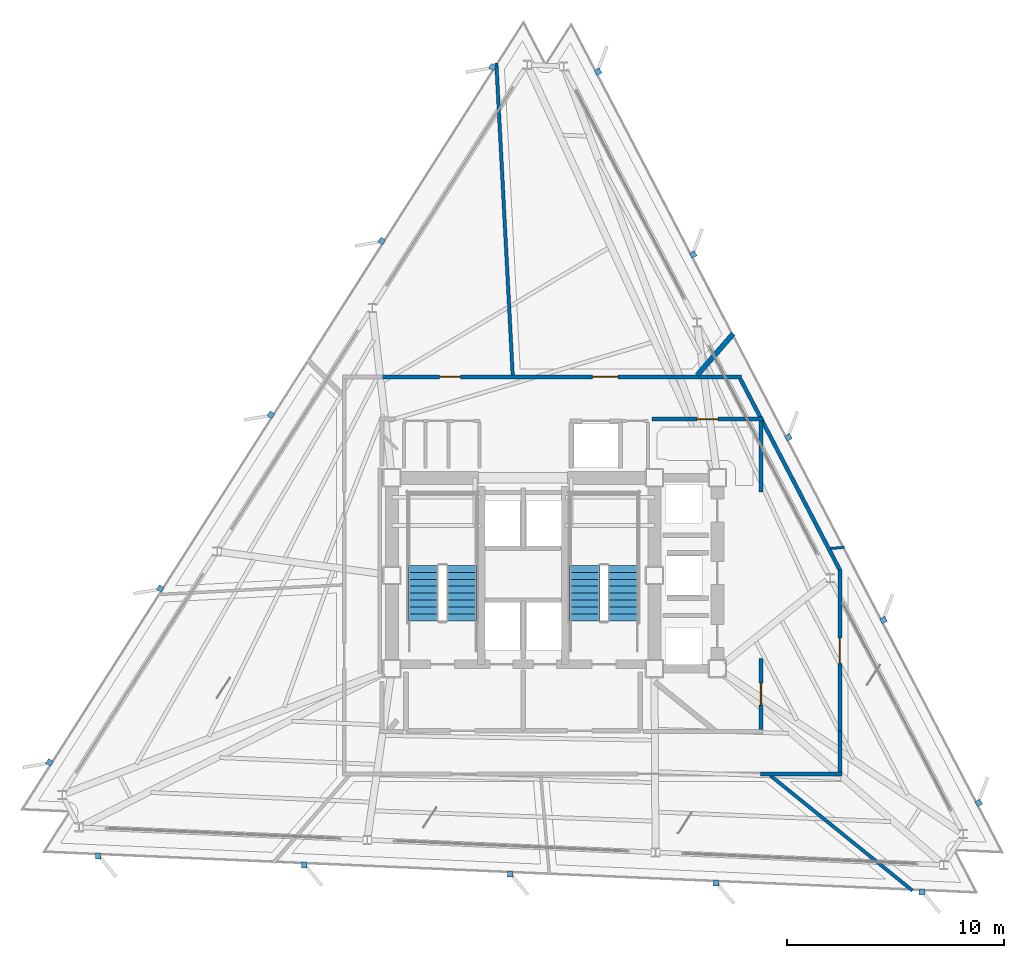
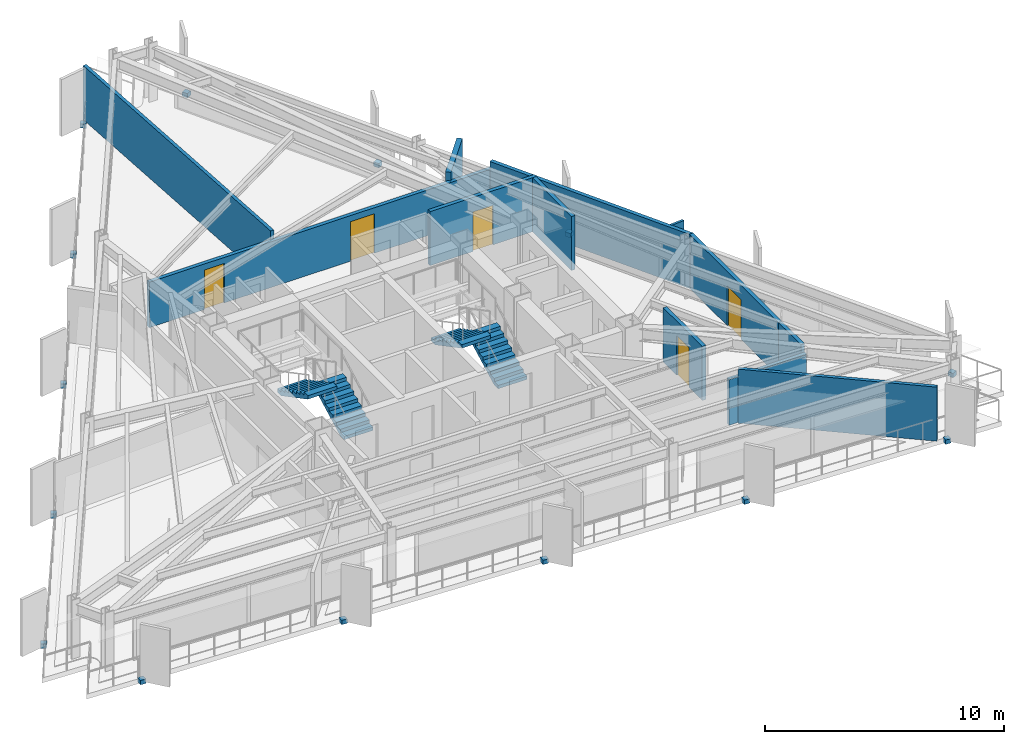
# One storey, part 9 of 12: 15 discrete accessories, 12 walls, 5 doors, 4 stair flights, 5 openings, 2 elements without a shape of their own.
"""IFC4 building model written with IfcOpenShell, lengths in metres."""

from ifc_helpers import new_model, si_unit, direction, frame, frame_2d, origin, origin_2d, place, context, subcontext, project, spatial, polyline, rectangle, outline, extrude, material, layer, layer_set, type_object, element, fill, aggregate, save


model = new_model("IFC4")

# Units and contexts
model_context = context("Model", 3, precision=1e-05, world=origin(), true_north=direction((0.0, 1.0)))
body_context = subcontext(model_context, "Body", "Model", "MODEL_VIEW")
ifc_project = project(units=[si_unit("LENGTHUNIT", "METRE"), si_unit("AREAUNIT", "SQUARE_METRE"), si_unit("VOLUMEUNIT", "CUBIC_METRE"), si_unit("PLANEANGLEUNIT", "RADIAN"), si_unit("MASSUNIT", "GRAM", prefix="KILO")], contexts=[model_context])

# Site, building, storey
site_placement = place(None, origin())
site = spatial("IfcSite", under=ifc_project, at=site_placement, CompositionType="ELEMENT")
building_placement = place(site_placement, origin())
building = spatial("IfcBuilding", under=site, at=building_placement, Name="Rocaltana Carrier Exchange", CompositionType="ELEMENT")
storey_placement = place(building_placement, frame((0.0, 0.0, 128.9599609375)))
storey = spatial("IfcBuildingStorey", under=building, at=storey_placement, Name="L40", CompositionType="ELEMENT", Elevation=128.9599609375)

# Walls
ifc_material_1 = material(Name="Double Acoustic Gypsum Partition", Category="gypsum")
ifc_layer_1 = layer(ifc_material_1, 0.159912109375)
ifc_layer_set_1 = layer_set([ifc_layer_1], Name="Double Acoustic Gypsum Partition")
wall_type_1 = type_object("IfcWallType", Name="Acoustic Studio Partition 160 EI60", PredefinedType="PARTITIONING", material=ifc_layer_set_1)
wall_1_placement = place(storey_placement, frame((11.398193359375, -9.22998046875, 0.0), z_axis=(0.0, 0.0, 1.0), x_axis=(0.777150974354, -0.629314200588, 0.0)))
element("IfcWall", 1, at=wall_1_placement, inside=storey, type_object=wall_type_1, Name="L40 Suite Divider Wall D6", PredefinedType="PARTITIONING", context=body_context, shape_type="SweptSolid", body=[
    extrude(rectangle(XDim=8.417236328125, YDim=0.159912109375, at=frame_2d((4.20849609375, 0.0))), origin(), (0.0, 0.0, 1.0), 2.762939453125),
])
wall_2_placement = place(storey_placement, frame((-0.483642578125, 9.22998046875, 0.0), z_axis=(0.0, 0.0, 1.0), x_axis=(-0.052344416919, 0.998629091313, 0.0)))
element("IfcWall", 2, at=wall_2_placement, inside=storey, type_object=wall_type_1, Name="L40 Suite Divider Wall D9", PredefinedType="PARTITIONING", context=body_context, shape_type="SweptSolid", body=[
    extrude(rectangle(XDim=14.40283203125, YDim=0.159912109375, at=frame_2d((7.201416015625, 0.0))), origin(), (0.0, 0.0, 1.0), 2.762939453125),
])

# Wall, openings, doors
ifc_material_2 = material(Name="Gypsum & Steel Stud Partition", Category="steel")
ifc_layer_2 = layer(ifc_material_2, 0.179931640625)
ifc_layer_set_2 = layer_set([ifc_layer_2], Name="Gypsum & Steel Stud Partition")
wall_type_2 = type_object("IfcWallType", Name="Corridor Fire Partition 180 EI60", PredefinedType="PARTITIONING", material=ifc_layer_set_2)
wall_3_placement = place(storey_placement, frame((-6.52001953125, 9.14990234375, 0.0), z_axis=(0.0, 0.0, 1.0), x_axis=(1.0, 0.0, 0.0)))
wall_3 = element("IfcWall", 3, at=wall_3_placement, inside=storey, type_object=wall_type_2, Name="L40 Corridor Partition 6", PredefinedType="PARTITIONING", context=body_context, shape_type="SweptSolid", body=[
    extrude(rectangle(XDim=16.571533203125, YDim=0.179931640625, at=frame_2d((8.28564453125, 0.0))), origin(), (0.0, 0.0, 1.0), 2.330078125),
])
opening_1_placement = place(wall_3_placement, frame((9.7138671875, 0.0, 0.0)))
opening_1 = element("IfcOpeningElement", 4, at=opening_1_placement, cuts=wall_3, Name="Opening D-SU120", PredefinedType="OPENING", context=body_context, shape_type="SweptSolid", body=[
    extrude(rectangle(XDim=1.179931640625, YDim=2.02001953125, at=frame_2d((0.58984375, 1.010009765625))), frame((0.0, 0.099853515625, 0.0), z_axis=(0.0, -1.0, 0.0), x_axis=(1.0, 0.0, 0.0)), (0.0, 0.0, 1.0), 0.199951171875),
])
opening_2_placement = place(wall_3_placement, frame((2.66845703125, 0.0, 0.0)))
opening_2 = element("IfcOpeningElement", 5, at=opening_2_placement, cuts=wall_3, Name="Opening D-RM098", PredefinedType="OPENING", context=body_context, shape_type="SweptSolid", body=[
    extrude(rectangle(XDim=0.9599609375, YDim=2.02001953125, at=frame_2d((0.47998046875, 1.010009765625))), frame((0.0, 0.099853515625, 0.0), z_axis=(0.0, -1.0, 0.0), x_axis=(1.0, 0.0, 0.0)), (0.0, 0.0, 1.0), 0.199951171875),
])
ifc_material_3 = material(Name="Engineered Hardwood Timber", Category="wood")
door_type_1 = type_object("IfcDoorType", Name="Suite Double Entrance Door 1180x2020", OperationType="NOTDEFINED", PredefinedType="DOOR", material=ifc_material_3)
door_1_placement = place(opening_1_placement, origin())
door_1 = element("IfcDoor", 6, at=door_1_placement, inside=storey, type_object=door_type_1, Name="L40 Carrier Peering Suite Entrance Door", OperationType="SINGLE_SWING_RIGHT", OverallHeight=2.02001953125, OverallWidth=1.179931640625, PredefinedType="DOOR", context=body_context, shape_type="SweptSolid", body=[
    extrude(rectangle(XDim=1.179931640625, YDim=2.02001953125, at=frame_2d((0.58984375, 1.010009765625))), frame((0.0, 0.02490234375, 0.0), z_axis=(0.0, -1.0, 0.0), x_axis=(1.0, 0.0, 0.0)), (0.0, 0.0, 1.0), 0.050048828125),
])
fill(opening_1, door_1)
ifc_material_4 = material(Name="Engineered Hardwood Timber", Category="wood")
door_type_2 = type_object("IfcDoorType", Name="Workspace Single Door 960x2020", OperationType="NOTDEFINED", PredefinedType="DOOR", material=ifc_material_4)
door_2_placement = place(opening_2_placement, origin())
door_2 = element("IfcDoor", 7, at=door_2_placement, inside=storey, type_object=door_type_2, Name="L40 Quiet Focus Lounge Entrance Door", OperationType="SINGLE_SWING_LEFT", OverallHeight=2.02001953125, OverallWidth=0.9599609375, PredefinedType="DOOR", context=body_context, shape_type="SweptSolid", body=[
    extrude(rectangle(XDim=0.9599609375, YDim=2.02001953125, at=frame_2d((0.47998046875, 1.010009765625))), frame((0.0, 0.02490234375, 0.0), z_axis=(0.0, -1.0, 0.0), x_axis=(1.0, 0.0, 0.0)), (0.0, 0.0, 1.0), 0.050048828125),
])
fill(opening_2, door_2)

# Wall
wall_4_placement = place(storey_placement, frame((10.0029296875, 9.0703125, 0.0), z_axis=(0.0, 0.0, 1.0), x_axis=(0.461740291408, -0.887015165198, 0.0)))
element("IfcWall", 8, at=wall_4_placement, inside=storey, type_object=wall_type_2, Name="L40 Corridor Partition 7", PredefinedType="PARTITIONING", context=body_context, shape_type="SweptSolid", body=[
    extrude(rectangle(XDim=9.975830078125, YDim=0.179931640625, at=frame_2d((4.98779296875, 0.0))), origin(), (0.0, 0.0, 1.0), 2.762939453125),
])

# Wall, opening, door
wall_5_placement = place(storey_placement, frame((14.60009765625, 0.259521484375, 0.0), z_axis=(0.0, 0.0, 1.0), x_axis=(0.0, -1.0, 0.0)))
wall_5 = element("IfcWall", 9, at=wall_5_placement, inside=storey, type_object=wall_type_2, Name="L40 Corridor Partition 8", PredefinedType="PARTITIONING", context=body_context, shape_type="SweptSolid", body=[
    extrude(rectangle(XDim=7.4794921875, YDim=0.179931640625, at=frame_2d((3.73974609375, 0.0))), origin(), (0.0, 0.0, 1.0), 2.762939453125),
])
opening_3_placement = place(wall_5_placement, frame((3.149658203125, 0.0, 0.0)))
opening_3 = element("IfcOpeningElement", 10, at=opening_3_placement, cuts=wall_5, Name="Opening D-SU120", PredefinedType="OPENING", context=body_context, shape_type="SweptSolid", body=[
    extrude(rectangle(XDim=1.179931640625, YDim=2.02001953125, at=frame_2d((0.58984375, 1.010009765625))), frame((0.0, 0.099853515625, 0.0), z_axis=(0.0, -1.0, 0.0), x_axis=(1.0, 0.0, 0.0)), (0.0, 0.0, 1.0), 0.199951171875),
])
door_3_placement = place(opening_3_placement, origin())
door_3 = element("IfcDoor", 11, at=door_3_placement, inside=storey, type_object=door_type_1, Name="L40 Carrier Peering Suite Entrance Door", OperationType="SINGLE_SWING_RIGHT", OverallHeight=2.02001953125, OverallWidth=1.179931640625, PredefinedType="DOOR", context=body_context, shape_type="SweptSolid", body=[
    extrude(rectangle(XDim=1.179931640625, YDim=2.02001953125, at=frame_2d((0.58984375, 1.010009765625))), frame((0.0, 0.02490234375, 0.0), z_axis=(0.0, -1.0, 0.0), x_axis=(1.0, 0.0, 0.0)), (0.0, 0.0, 1.0), 0.050048828125),
])
fill(opening_3, door_3)

# Walls
wall_6_placement = place(storey_placement, frame((14.60009765625, -7.179931640625, 0.0), z_axis=(0.0, 0.0, 1.0), x_axis=(0.0, -1.0, 0.0)))
element("IfcWall", 12, at=wall_6_placement, inside=storey, type_object=wall_type_2, Name="L40 Corridor Partition 9", PredefinedType="PARTITIONING", context=body_context, shape_type="SweptSolid", body=[
    extrude(rectangle(XDim=1.880126953125, YDim=0.179931640625, at=frame_2d((0.93994140625, 0.0))), origin(), (0.0, 0.0, 1.0), 2.762939453125),
])
wall_7_placement = place(storey_placement, frame((14.68994140625, -9.14990234375, 0.0), z_axis=(0.0, 0.0, 1.0), x_axis=(-1.0, 0.0, 0.0)))
element("IfcWall", 13, at=wall_7_placement, inside=storey, type_object=wall_type_2, Name="L40 Corridor Partition 10", PredefinedType="PARTITIONING", context=body_context, shape_type="SweptSolid", body=[
    extrude(rectangle(XDim=3.75, YDim=0.179931640625, at=frame_2d((1.875, 0.0))), origin(), (0.0, 0.0, 1.0), 2.330078125),
])

# Wall, opening, door
wall_8_placement = place(storey_placement, frame((10.9599609375, -7.110107421875, 0.0), z_axis=(0.0, 0.0, 1.0), x_axis=(0.0, 1.0, 0.0)))
wall_8 = element("IfcWall", 14, at=wall_8_placement, inside=storey, type_object=wall_type_2, Name="L40 Corridor Partition 13", PredefinedType="PARTITIONING", context=body_context, shape_type="SweptSolid", body=[
    extrude(rectangle(XDim=3.2705078125, YDim=0.179931640625, at=frame_2d((1.63525390625, 0.0))), origin(), (0.0, 0.0, 1.0), 2.762939453125),
])
opening_4_placement = place(wall_8_placement, frame((1.125244140625, 0.0, 0.0)))
opening_4 = element("IfcOpeningElement", 15, at=opening_4_placement, cuts=wall_8, Name="Opening D-LB104", PredefinedType="OPENING", context=body_context, shape_type="SweptSolid", body=[
    extrude(rectangle(XDim=1.02001953125, YDim=2.02001953125, at=frame_2d((0.510009765625, 1.010009765625))), frame((0.0, 0.099853515625, 0.0), z_axis=(0.0, -1.0, 0.0), x_axis=(1.0, 0.0, 0.0)), (0.0, 0.0, 1.0), 0.199951171875),
])
ifc_material_5 = material(Name="Powder-Coated Aluminium 6063-T6", Category="aluminium")
door_type_3 = type_object("IfcDoorType", Name="Laboratory Acoustic Door 1020x2020", OperationType="NOTDEFINED", PredefinedType="DOOR", material=ifc_material_5)
door_4_placement = place(opening_4_placement, origin())
door_4 = element("IfcDoor", 16, at=door_4_placement, inside=storey, type_object=door_type_3, Name="L40 Optical Switching Laboratory Entrance Door", OperationType="SINGLE_SWING_LEFT", OverallHeight=2.02001953125, OverallWidth=1.02001953125, PredefinedType="DOOR", context=body_context, shape_type="SweptSolid", body=[
    extrude(rectangle(XDim=1.02001953125, YDim=2.02001953125, at=frame_2d((0.510009765625, 1.010009765625))), frame((0.0, 0.02490234375, 0.0), z_axis=(0.0, -1.0, 0.0), x_axis=(1.0, 0.0, 0.0)), (0.0, 0.0, 1.0), 0.050048828125),
])
fill(opening_4, door_4)

# Wall
wall_9_placement = place(storey_placement, frame((10.9599609375, 3.839599609375, 0.0), z_axis=(0.0, 0.0, 1.0), x_axis=(0.0, 1.0, 0.0)))
element("IfcWall", 17, at=wall_9_placement, inside=storey, type_object=wall_type_2, Name="L40 Corridor Partition 14", PredefinedType="PARTITIONING", context=body_context, shape_type="SweptSolid", body=[
    extrude(rectangle(XDim=3.2705078125, YDim=0.179931640625, at=frame_2d((1.63525390625, 0.0))), origin(), (0.0, 0.0, 1.0), 2.762939453125),
])

# Wall, opening, door
wall_10_placement = place(storey_placement, frame((11.050048828125, 7.199951171875, 0.0), z_axis=(0.0, 0.0, 1.0), x_axis=(-1.0, 0.0, 0.0)))
wall_10 = element("IfcWall", 18, at=wall_10_placement, inside=storey, type_object=wall_type_2, Name="L40 Corridor Partition 15", PredefinedType="PARTITIONING", context=body_context, shape_type="SweptSolid", body=[
    extrude(rectangle(XDim=5.1201171875, YDim=0.179931640625, at=frame_2d((2.56005859375, 0.0))), origin(), (0.0, 0.0, 1.0), 2.762939453125),
])
opening_5_placement = place(wall_10_placement, frame((2.080078125, 0.0, 0.0)))
opening_5 = element("IfcOpeningElement", 19, at=opening_5_placement, cuts=wall_10, Name="Opening D-RM098", PredefinedType="OPENING", context=body_context, shape_type="SweptSolid", body=[
    extrude(rectangle(XDim=0.9599609375, YDim=2.02001953125, at=frame_2d((0.47998046875, 1.010009765625))), frame((0.0, 0.099853515625, 0.0), z_axis=(0.0, -1.0, 0.0), x_axis=(1.0, 0.0, 0.0)), (0.0, 0.0, 1.0), 0.199951171875),
])
door_5_placement = place(opening_5_placement, origin())
door_5 = element("IfcDoor", 20, at=door_5_placement, inside=storey, type_object=door_type_2, Name="L40 Peering Conference Room Entrance Door", OperationType="SINGLE_SWING_LEFT", OverallHeight=2.02001953125, OverallWidth=0.9599609375, PredefinedType="DOOR", context=body_context, shape_type="SweptSolid", body=[
    extrude(rectangle(XDim=0.9599609375, YDim=2.02001953125, at=frame_2d((0.47998046875, 1.010009765625))), frame((0.0, 0.02490234375, 0.0), z_axis=(0.0, -1.0, 0.0), x_axis=(1.0, 0.0, 0.0)), (0.0, 0.0, 1.0), 0.050048828125),
])
fill(opening_5, door_5)

# Walls
ifc_material_6 = material(Name="Aluminium 6063-T6 & Acoustic Glass", Category="aluminium")
ifc_layer_3 = layer(ifc_material_6, 0.114990234375)
ifc_layer_set_3 = layer_set([ifc_layer_3], Name="Aluminium 6063-T6 & Acoustic Glass")
wall_type_3 = type_object("IfcWallType", Name="Demountable Glazed Lab Partition 115", PredefinedType="MOVABLE", material=ifc_layer_set_3)
wall_11_placement = place(storey_placement, frame((14.16943359375, 1.23974609375, 0.0), z_axis=(0.0, 0.0, 1.0), x_axis=(0.996194547312, 0.08715746615, 0.0)))
element("IfcWall", 21, at=wall_11_placement, inside=storey, type_object=wall_type_3, Name="L40 Suite Divider Wall D7", PredefinedType="MOVABLE", context=body_context, shape_type="SweptSolid", body=[
    extrude(rectangle(XDim=0.638671875, YDim=0.114990234375, at=frame_2d((0.3193359375, 0.0))), origin(), (0.0, 0.0, 1.0), 2.762939453125),
])
ifc_material_7 = material(Name="Acoustic Calcium Silicate Partition", Category="gypsum")
ifc_layer_4 = layer(ifc_material_7, 0.239990234375)
ifc_layer_set_4 = layer_set([ifc_layer_4], Name="Acoustic Calcium Silicate Partition")
wall_type_4 = type_object("IfcWallType", Name="Heavy Lab Partition 240 EI90", PredefinedType="PARTITIONING", material=ifc_layer_set_4)
wall_12_placement = place(storey_placement, frame((8.0234375, 9.22998046875, 0.0), z_axis=(0.0, 0.0, 1.0), x_axis=(0.656032852837, 0.754732334009, 0.0)))
element("IfcWall", 22, at=wall_12_placement, inside=storey, type_object=wall_type_4, Name="L40 Suite Divider Wall D8", PredefinedType="PARTITIONING", context=body_context, shape_type="SweptSolid", body=[
    extrude(rectangle(XDim=2.528076171875, YDim=0.239990234375, at=frame_2d((1.26416015625, 0.0))), origin(), (0.0, 0.0, 1.0), 2.762939453125),
])

# Stair, stair flights
ifc_material_8 = material(Name="Precast concrete C45/55", Category="concrete")
stair_type = type_object("IfcStairType", Name="Standard Dog-Leg Stair 160", PredefinedType="HALF_TURN_STAIR", material=ifc_material_8)
stair_1_placement = place(storey_placement, origin())
stair_1 = element("IfcStair", 23, at=stair_1_placement, inside=storey, type_object=stair_type, Name="L40 Core West Exit Stair ST-1", PredefinedType="HALF_TURN_STAIR")
ifc_material_9 = material(Name="Precast concrete C45/55", Category="concrete")
stair_flight_type = type_object("IfcStairFlightType", Name="Precast Stair Flight 160", PredefinedType="STRAIGHT", material=ifc_material_9)
stair_flight_1_placement = place(storey_placement, frame((-2.840087890625, -2.10009765625, 0.0), z_axis=(0.0, 0.0, 1.0), x_axis=(0.0, 1.0, 0.0)))
stair_flight_1 = element("IfcStairFlight", 24, at=stair_flight_1_placement, type_object=stair_flight_type, Name="ST-1 flight 1", NumberOfRisers=9, NumberOfTreads=8, PredefinedType="STRAIGHT", RiserHeight=0.168888889, TreadLength=0.32, context=body_context, shape_type="SweptSolid", body=[
    extrude(outline(polyline([(0.0, 0.0), (0.0, 0.1689453125), (0.320068359375, 0.1689453125), (0.320068359375, 0.337890625), (0.639892578125, 0.337890625), (0.639892578125, 0.506591796875), (0.9599609375, 0.506591796875), (0.9599609375, 0.675537109375), (1.280029296875, 0.675537109375), (1.280029296875, 0.844482421875), (1.60009765625, 0.844482421875), (1.60009765625, 1.013427734375), (1.919921875, 1.013427734375), (1.919921875, 1.18212890625), (2.239990234375, 1.18212890625), (2.239990234375, 1.35107421875), (2.56005859375, 1.35107421875), (2.56005859375, 1.52001953125), (2.56005859375, 1.17041015625), (0.342529296875, 0.0), (0.0, 0.0)])), frame((0.0, 0.699951171875, 0.0), z_axis=(0.0, -1.0, 0.0), x_axis=(1.0, 0.0, 0.0)), (0.0, 0.0, 1.0), 1.39990234375),
])
stair_flight_2_placement = place(storey_placement, frame((-4.60009765625, 0.4599609375, 1.52001953125), z_axis=(0.0, 0.0, 1.0), x_axis=(0.0, -1.0, 0.0)))
stair_flight_2 = element("IfcStairFlight", 25, at=stair_flight_2_placement, type_object=stair_flight_type, Name="ST-1 flight 2", NumberOfRisers=9, NumberOfTreads=8, PredefinedType="STRAIGHT", RiserHeight=0.168888889, TreadLength=0.32, context=body_context, shape_type="SweptSolid", body=[
    extrude(outline(polyline([(0.0, 0.0), (0.0, 0.1689453125), (0.320068359375, 0.1689453125), (0.320068359375, 0.337890625), (0.639892578125, 0.337890625), (0.639892578125, 0.506591796875), (0.9599609375, 0.506591796875), (0.9599609375, 0.675537109375), (1.280029296875, 0.675537109375), (1.280029296875, 0.844482421875), (1.60009765625, 0.844482421875), (1.60009765625, 1.013427734375), (1.919921875, 1.013427734375), (1.919921875, 1.18212890625), (2.239990234375, 1.18212890625), (2.239990234375, 1.35107421875), (2.56005859375, 1.35107421875), (2.56005859375, 1.52001953125), (2.56005859375, 1.17041015625), (0.342529296875, 0.0), (0.0, 0.0)])), frame((0.0, 0.699951171875, 0.0), z_axis=(0.0, -1.0, 0.0), x_axis=(1.0, 0.0, 0.0)), (0.0, 0.0, 1.0), 1.39990234375),
])
aggregate(stair_1, [stair_flight_1, stair_flight_2])

stair_2_placement = place(storey_placement, origin())
stair_2 = element("IfcStair", 26, at=stair_2_placement, inside=storey, type_object=stair_type, Name="L40 Core East Exit Stair ST-2", PredefinedType="HALF_TURN_STAIR")
stair_flight_3_placement = place(storey_placement, frame((4.60009765625, -2.10009765625, 0.0), z_axis=(0.0, 0.0, 1.0), x_axis=(0.0, 1.0, 0.0)))
stair_flight_3 = element("IfcStairFlight", 27, at=stair_flight_3_placement, type_object=stair_flight_type, Name="ST-2 flight 1", NumberOfRisers=9, NumberOfTreads=8, PredefinedType="STRAIGHT", RiserHeight=0.168888889, TreadLength=0.32, context=body_context, shape_type="SweptSolid", body=[
    extrude(outline(polyline([(0.0, 0.0), (0.0, 0.1689453125), (0.320068359375, 0.1689453125), (0.320068359375, 0.337890625), (0.639892578125, 0.337890625), (0.639892578125, 0.506591796875), (0.9599609375, 0.506591796875), (0.9599609375, 0.675537109375), (1.280029296875, 0.675537109375), (1.280029296875, 0.844482421875), (1.60009765625, 0.844482421875), (1.60009765625, 1.013427734375), (1.919921875, 1.013427734375), (1.919921875, 1.18212890625), (2.239990234375, 1.18212890625), (2.239990234375, 1.35107421875), (2.56005859375, 1.35107421875), (2.56005859375, 1.52001953125), (2.56005859375, 1.17041015625), (0.342529296875, 0.0), (0.0, 0.0)])), frame((0.0, 0.699951171875, 0.0), z_axis=(0.0, -1.0, 0.0), x_axis=(1.0, 0.0, 0.0)), (0.0, 0.0, 1.0), 1.39990234375),
])
stair_flight_4_placement = place(storey_placement, frame((2.840087890625, 0.4599609375, 1.52001953125), z_axis=(0.0, 0.0, 1.0), x_axis=(0.0, -1.0, 0.0)))
stair_flight_4 = element("IfcStairFlight", 28, at=stair_flight_4_placement, type_object=stair_flight_type, Name="ST-2 flight 2", NumberOfRisers=9, NumberOfTreads=8, PredefinedType="STRAIGHT", RiserHeight=0.168888889, TreadLength=0.32, context=body_context, shape_type="SweptSolid", body=[
    extrude(outline(polyline([(0.0, 0.0), (0.0, 0.1689453125), (0.320068359375, 0.1689453125), (0.320068359375, 0.337890625), (0.639892578125, 0.337890625), (0.639892578125, 0.506591796875), (0.9599609375, 0.506591796875), (0.9599609375, 0.675537109375), (1.280029296875, 0.675537109375), (1.280029296875, 0.844482421875), (1.60009765625, 0.844482421875), (1.60009765625, 1.013427734375), (1.919921875, 1.013427734375), (1.919921875, 1.18212890625), (2.239990234375, 1.18212890625), (2.239990234375, 1.35107421875), (2.56005859375, 1.35107421875), (2.56005859375, 1.52001953125), (2.56005859375, 1.17041015625), (0.342529296875, 0.0), (0.0, 0.0)])), frame((0.0, 0.699951171875, 0.0), z_axis=(0.0, -1.0, 0.0), x_axis=(1.0, 0.0, 0.0)), (0.0, 0.0, 1.0), 1.39990234375),
])
aggregate(stair_2, [stair_flight_3, stair_flight_4])

# Discrete accessories
ifc_material_10 = material(Name="Brushed Architectural Stainless Metal", Category="steel")
ifc_layer_5 = layer(ifc_material_10, 0.219970703125)
ifc_layer_set_5 = layer_set([ifc_layer_5], Name="Brushed Architectural Stainless Metal")
discrete_accessory_type = type_object("IfcDiscreteAccessoryType", Name="Stainless Fin Slab-Edge Bracket 260x260x220", PredefinedType="BRACKET", material=ifc_layer_set_5)
for number, where, z_axis, x_axis, name in (
    (29, (20.9970703125, -10.489990234375, -0.2099609375), (0.0, 0.0, 1.0), (-0.461748613235, 0.887010833178, 0.0), "L40 Sandstone Fin Edge Bracket F1-01"),
    (30, (16.610595703125, -2.063232421875, -0.2099609375), (0.0, 0.0, 1.0), (-0.461748613235, 0.887010833178, 0.0), "L40 Sandstone Fin Edge Bracket F1-02"),
    (31, (12.223876953125, 6.36328125, -0.2099609375), (0.0, 0.0, 1.0), (-0.461748613235, 0.887010833178, 0.0), "L40 Sandstone Fin Edge Bracket F1-03"),
    (32, (7.837158203125, 14.789794921875, -0.2099609375), (0.0, 0.0, 1.0), (-0.461748613235, 0.887010833178, 0.0), "L40 Sandstone Fin Edge Bracket F1-04"),
    (33, (3.45068359375, 23.216552734375, -0.2099609375), (0.0, 0.0, 1.0), (-0.461748613235, 0.887010833178, 0.0), "L40 Sandstone Fin Edge Bracket F1-05"),
    (34, (-1.4140625, 23.428955078125, -0.2099609375), (0.0, 0.0, 1.0), (-0.537299608347, -0.843391445813, 0.0), "L40 Sandstone Fin Edge Bracket F2-01"),
    (35, (-6.518310546875, 15.416748046875, -0.2099609375), (0.0, 0.0, 1.0), (-0.537299608347, -0.843391445813, 0.0), "L40 Sandstone Fin Edge Bracket F2-02"),
    (36, (-11.622802734375, 7.404541015625, -0.2099609375), (0.0, 0.0, 1.0), (-0.537299608347, -0.843391445813, 0.0), "L40 Sandstone Fin Edge Bracket F2-03"),
    (37, (-16.72705078125, -0.607666015625, -0.2099609375), (0.0, 0.0, 1.0), (-0.537299608347, -0.843391445813, 0.0), "L40 Sandstone Fin Edge Bracket F2-04"),
    (38, (-21.831298828125, -8.619873046875, -0.2099609375), (0.0, 0.0, 1.0), (-0.537299608347, -0.843391445813, 0.0), "L40 Sandstone Fin Edge Bracket F2-05"),
    (39, (-19.5830078125, -12.939208984375, -0.2099609375), (0.0, 0.0, 1.0), (0.999048221582, -0.043619387365, 0.0), "L40 Sandstone Fin Edge Bracket F3-01"),
    (40, (-10.092041015625, -13.353515625, -0.2099609375), (0.0, 0.0, 1.0), (0.999048221582, -0.043619387365, 0.0), "L40 Sandstone Fin Edge Bracket F3-02"),
    (41, (-0.60107421875, -13.767822265625, -0.2099609375), (0.0, 0.0, 1.0), (0.999048221582, -0.043619387365, 0.0), "L40 Sandstone Fin Edge Bracket F3-03"),
    (42, (8.889892578125, -14.18212890625, -0.2099609375), (0.0, 0.0, 1.0), (0.999048221582, -0.043619387365, 0.0), "L40 Sandstone Fin Edge Bracket F3-04"),
    (43, (18.380859375, -14.5966796875, -0.2099609375), (0.0, 0.0, 1.0), (0.999048221582, -0.043619387365, 0.0), "L40 Sandstone Fin Edge Bracket F3-05"),
):
    element("IfcDiscreteAccessory", number, at=place(storey_placement, frame(where, z_axis=z_axis, x_axis=x_axis)), inside=storey, type_object=discrete_accessory_type, Name=name, PredefinedType="BRACKET", context=body_context, shape_type="SweptSolid", body=[
        extrude(rectangle(XDim=0.260009765625, YDim=0.260009765625, at=origin_2d()), origin(), (0.0, 0.0, 1.0), 0.219970703125),
    ])

save(model, "model.ifc")
